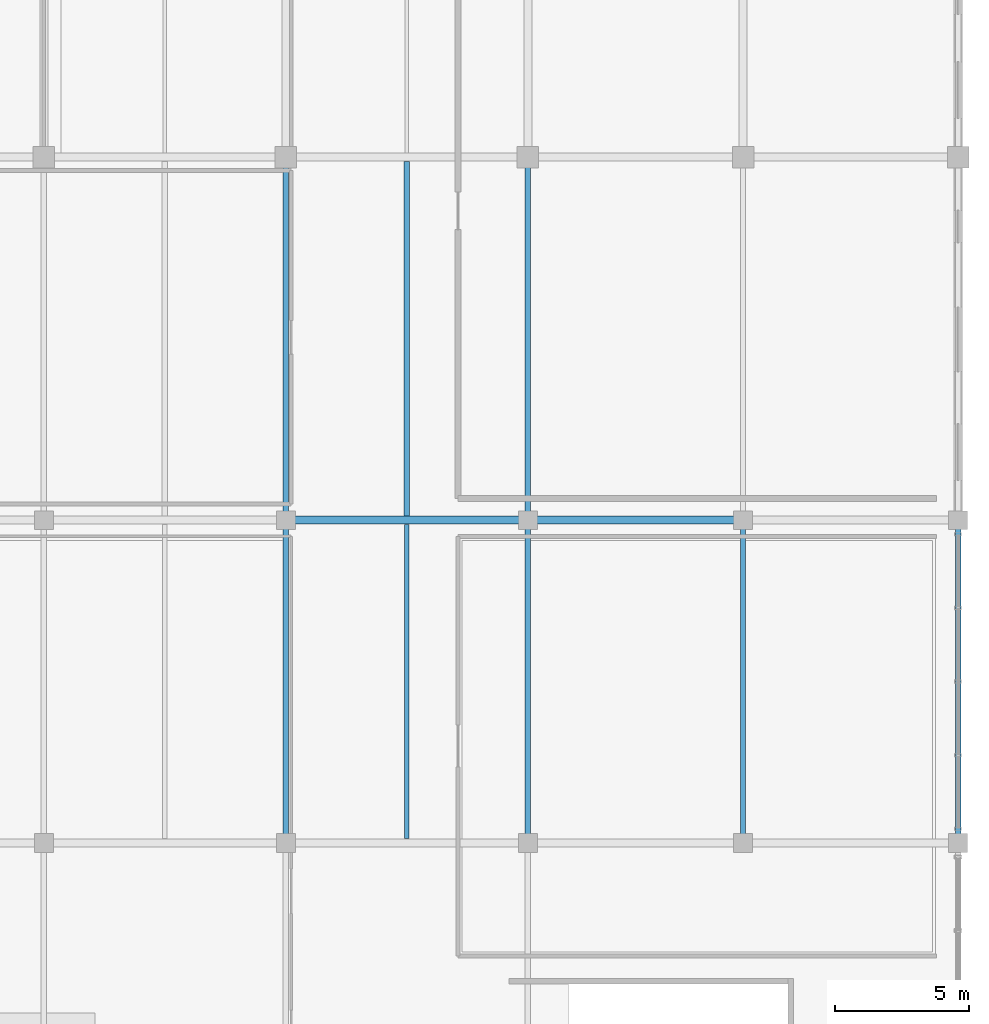
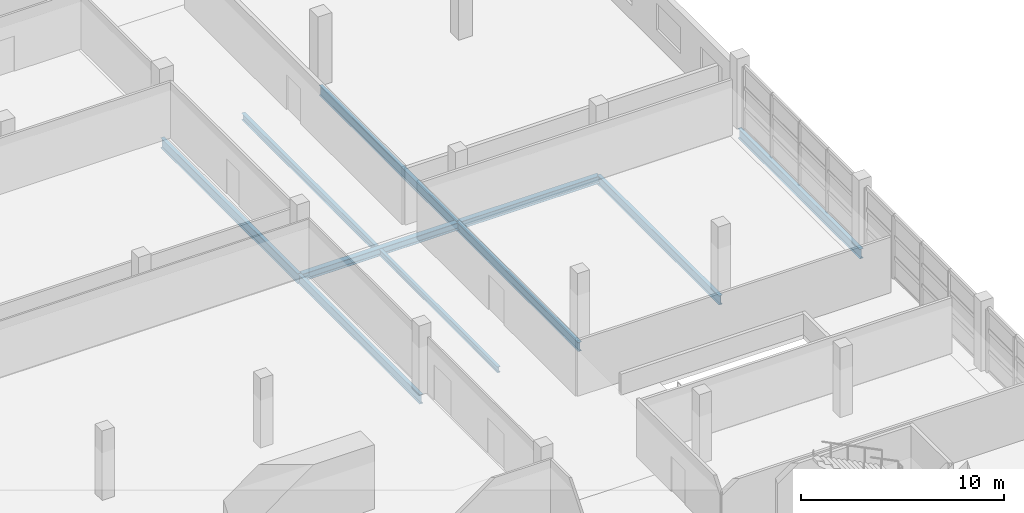
# One storey, part 76 of 136: 10 beams.
"""IFC4 building model written with IfcOpenShell, lengths in metres."""

import ifcopenshell
import ifcopenshell.guid

model = None  # the IFC model being written
_history = None  # IfcOwnerHistory: only IFC2X3 demands one
_inside = {}  # id of a spatial element -> (the spatial element, [elements in it])
_under = {}  # id of a project, library or spatial element -> (it, [spatial elements below it])
_declared = {}  # id of a project -> (the project, [libraries it declares])
_typed = {}  # id of a type object -> (the type object, [elements of that type])
_made_of = {}  # id of a material, layer set ... -> (it, [elements and type objects made of it])


def new_model(schema):
    """Start an empty IFC model of exactly this schema.

    Asked for "IFC4X3", IfcOpenShell would pick the latest addendum, in which some entities
    have other attributes; the version numbers below select the first issue.
    IFC2X3 requires an IfcOwnerHistory on every rooted entity: one is made here for all.
    """
    global model, _history
    if schema == "IFC4X3":
        model = ifcopenshell.file(schema_version=(4, 3, 0, 0))
    else:
        model = ifcopenshell.file(schema=schema)
    _inside.clear()
    _under.clear()
    _declared.clear()
    _typed.clear()
    _made_of.clear()
    _history = None
    if model.schema == "IFC2X3":
        org = make("IfcOrganization", Name="unknown")
        user = make(
            "IfcPersonAndOrganization",
            ThePerson=make("IfcPerson", FamilyName="unknown"),
            TheOrganization=org,
        )
        app = make(
            "IfcApplication",
            ApplicationDeveloper=org,
            Version="unknown",
            ApplicationFullName="unknown",
            ApplicationIdentifier="unknown",
        )
        _history = make(
            "IfcOwnerHistory",
            OwningUser=user,
            OwningApplication=app,
            ChangeAction="ADDED",
            CreationDate=0,
        )
    return model


def make(cls, **values):
    """One entity of the class cls with the attributes given. An attribute that is None is left unset."""
    return model.create_entity(
        cls, **{name: value for name, value in values.items() if value is not None}
    )


def rooted(cls, **values):
    """An entity with a GlobalId (a new one), such as an element, a storey or a relation."""
    return make(cls, GlobalId=ifcopenshell.guid.new(), OwnerHistory=_history, **values)


def si_unit(unit_type, name, prefix=None):
    """IfcSIUnit, for example si_unit("LENGTHUNIT", "METRE", prefix="MILLI")."""
    return make("IfcSIUnit", UnitType=unit_type, Prefix=prefix, Name=name)


def assignment(units):
    """IfcUnitAssignment: the units of a project."""
    return None if units is None else make("IfcUnitAssignment", Units=units)


def point(xyz):
    """IfcCartesianPoint."""
    return None if xyz is None else make("IfcCartesianPoint", Coordinates=xyz)


def direction(xyz):
    """IfcDirection."""
    return None if xyz is None else make("IfcDirection", DirectionRatios=xyz)


def frame(location, z_axis=None, x_axis=None):
    """IfcAxis2Placement3D, a coordinate frame: its origin and axes. An axis left out is left unset."""
    return make(
        "IfcAxis2Placement3D",
        Location=point(location),
        Axis=direction(z_axis),
        RefDirection=direction(x_axis),
    )


def frame_2d(location, x_axis=None):
    """IfcAxis2Placement2D, a coordinate frame in the plane: its origin and x axis."""
    return make(
        "IfcAxis2Placement2D", Location=point(location), RefDirection=direction(x_axis)
    )


def origin():
    """The frame at (0, 0, 0) with its axes left unset."""
    return frame((0.0, 0.0, 0.0))


def origin_2d():
    """The frame at (0, 0) in the plane with its x axis left unset."""
    return frame_2d((0.0, 0.0))


def place(relative_to, where):
    """IfcLocalPlacement: puts the frame where relative to a parent placement (None: the world)."""
    return make(
        "IfcLocalPlacement", PlacementRelTo=relative_to, RelativePlacement=where
    )


def context(
    kind, dimensions, precision=None, world=None, true_north=None, identifier=None
):
    """IfcGeometricRepresentationContext, for example the 3D "Model" context."""
    return make(
        "IfcGeometricRepresentationContext",
        ContextIdentifier=identifier,
        ContextType=kind,
        CoordinateSpaceDimension=dimensions,
        Precision=precision,
        WorldCoordinateSystem=world,
        TrueNorth=true_north,
    )


def subcontext(parent, identifier, kind, view, scale=None):
    """IfcGeometricRepresentationSubContext, for example "Body" below "Model"."""
    return make(
        "IfcGeometricRepresentationSubContext",
        ContextIdentifier=identifier,
        ContextType=kind,
        ParentContext=parent,
        TargetScale=scale,
        TargetView=view,
    )


def project(units=None, contexts=None):
    """IfcProject with its units and contexts."""
    return rooted(
        "IfcProject",
        Name="project",
        RepresentationContexts=contexts,
        UnitsInContext=assignment(units),
    )


def spatial(cls, under=None, at=None, **own):
    """A site, building, storey or space (cls), placed at a placement, below another one or the project."""
    s = rooted(cls, ObjectPlacement=at, **own)
    if under is not None:
        _under.setdefault(under.id(), (under, []))[1].append(s)
    return s


def profile(cls, at=None, kind="AREA", **sizes):
    """A parametric profile (cls). Its sizes go by their IFC names, for example OverallWidth=200.0."""
    return make(cls, ProfileType=kind, Position=at, **sizes)


def i_section(**sizes):
    """IfcIShapeProfileDef."""
    return profile("IfcIShapeProfileDef", **sizes)


def extrude(swept, where, along, depth):
    """IfcExtrudedAreaSolid: the profile swept, set in the frame where, extruded along a direction by depth."""
    return make(
        "IfcExtrudedAreaSolid",
        SweptArea=swept,
        Position=where,
        ExtrudedDirection=direction(along),
        Depth=depth,
    )


def shape(context_of_items, identifier, shape_type, items):
    """IfcShapeRepresentation: the items that make up one representation, for example the "Body"."""
    return make(
        "IfcShapeRepresentation",
        ContextOfItems=context_of_items,
        RepresentationIdentifier=identifier,
        RepresentationType=shape_type,
        Items=items,
    )


def material(Name=None, Category=None):
    """IfcMaterial."""
    return make("IfcMaterial", Name=Name, Category=Category)


def material_profile(
    of_material, cross_section, Name=None, Category=None, Priority=None
):
    """IfcMaterialProfile: a cross section and its material."""
    return make(
        "IfcMaterialProfile",
        Name=Name,
        Material=of_material,
        Profile=cross_section,
        Priority=Priority,
        Category=Category,
    )


def profile_set(profiles, Name=None, composite=None):
    """IfcMaterialProfileSet."""
    return make(
        "IfcMaterialProfileSet",
        Name=Name,
        MaterialProfiles=profiles,
        CompositeProfile=composite,
    )


def made_of(thing, what):
    """Note that an element or type object is made of a material, layer set ...; save() writes the relation."""
    if what is not None:
        _made_of.setdefault(what.id(), (what, []))[1].append(thing)
    return thing


def type_object(cls, material=None, **own):
    """A type object (cls), such as IfcWallType, which elements share."""
    return made_of(rooted(cls, **own), material)


def element(
    cls,
    number,
    at=None,
    inside=None,
    cuts=None,
    type_object=None,
    material=None,
    context=None,
    identifier="Body",
    shape_type=None,
    held_by="IfcProductDefinitionShape",
    body=None,
    shapes=None,
    **own,
):
    """One element of the class cls, such as IfcWall. Its Tag is "e" and its number.

    at: its placement. inside: the storey or other place that contains it. cuts: it is an
    opening in that element (IfcRelVoidsElement). A single representation is given by context,
    identifier, shape_type and body (its items); several are given by shapes. held_by: the class
    of the entity that holds the representations. save() writes the other relations.
    """
    e = rooted(cls, Tag="e%d" % number, ObjectPlacement=at, **own)
    if body is not None:
        shapes = [shape(context, identifier, shape_type, body)]
    if shapes is not None:
        e.Representation = make(held_by, Representations=shapes)
    if inside is not None:
        _inside.setdefault(inside.id(), (inside, []))[1].append(e)
    if cuts is not None:
        rooted(
            "IfcRelVoidsElement", RelatingBuildingElement=cuts, RelatedOpeningElement=e
        )
    if type_object is not None:
        _typed.setdefault(type_object.id(), (type_object, []))[1].append(e)
    return made_of(e, material)


def aggregate(whole, parts):
    """IfcRelAggregates: a whole, such as a stair, and the parts it consists of."""
    return rooted("IfcRelAggregates", RelatingObject=whole, RelatedObjects=parts)


def save(model, path):
    """Write the relations noted so far, then the file.

    IfcRelAggregates (storeys below a building ...), IfcRelContainedInSpatialStructure (elements
    in a storey), IfcRelDefinesByType, IfcRelAssociatesMaterial and IfcRelDeclares: one each for
    every whole, place, type object, material and project.
    """
    for whole, parts in _under.values():
        aggregate(whole, parts)
    for where, things in _inside.values():
        rooted(
            "IfcRelContainedInSpatialStructure",
            RelatedElements=things,
            RelatingStructure=where,
        )
    for kind, things in _typed.values():
        rooted("IfcRelDefinesByType", RelatedObjects=things, RelatingType=kind)
    for what, things in _made_of.values():
        rooted("IfcRelAssociatesMaterial", RelatedObjects=things, RelatingMaterial=what)
    for by, libraries in _declared.values():
        rooted("IfcRelDeclares", RelatingContext=by, RelatedDefinitions=libraries)
    model.write(path)


model = new_model("IFC4")

# Units and contexts
model_context = context("Model", 3, precision=1e-05, world=origin(), true_north=direction((0.0, 1.0)))
body_context = subcontext(model_context, "Body", "Model", "MODEL_VIEW")
ifc_project = project(units=[si_unit("LENGTHUNIT", "METRE"), si_unit("AREAUNIT", "SQUARE_METRE"), si_unit("VOLUMEUNIT", "CUBIC_METRE"), si_unit("PLANEANGLEUNIT", "RADIAN"), si_unit("MASSUNIT", "GRAM", prefix="KILO")], contexts=[model_context])

# Site, building, storey
site_placement = place(None, origin())
site = spatial("IfcSite", under=ifc_project, at=site_placement, CompositionType="ELEMENT")
building_placement = place(site_placement, origin())
building = spatial("IfcBuilding", under=site, at=building_placement, Name="Chuanluo Vaults Station", CompositionType="ELEMENT")
storey_placement = place(building_placement, frame((0.0, 0.0, 6.60009765625)))
storey = spatial("IfcBuildingStorey", under=building, at=storey_placement, Name="L01", CompositionType="ELEMENT", Elevation=6.60009765625)

# Beams
ifc_material_1 = material(Name="Steel Q355C", Category="steel")
ifc_material_profile_1 = material_profile(ifc_material_1, i_section(OverallWidth=0.300048828125, OverallDepth=0.43994140625, WebThickness=0.010986328125, FlangeThickness=0.01806640625, FilletRadius=0.02001953125, at=origin_2d()))
ifc_profile_set_1 = profile_set([ifc_material_profile_1], Name="Steel Q355C")
beam_type_1 = type_object("IfcBeamType", Name="BM-GRD-450", PredefinedType="USERDEFINED", material=ifc_profile_set_1)
beam_1_placement = place(storey_placement, frame((163.0, 54.0, -0.460205078125), z_axis=(1.0, 0.0, 0.0), x_axis=(0.0, 1.0, 0.0)))
element("IfcBeam", 1, at=beam_1_placement, inside=storey, type_object=beam_type_1, Name="Floor girder BM:GX:L01:0331", ObjectType="GIRDER", PredefinedType="USERDEFINED", context=body_context, shape_type="SweptSolid", body=[
    extrude(i_section(OverallWidth=0.300048828125, OverallDepth=0.43994140625, WebThickness=0.010986328125, FlangeThickness=0.01806640625, FilletRadius=0.02001953125, at=origin_2d()), origin(), (0.0, 0.0, 1.0), 9.0),
])
beam_2_placement = place(storey_placement, frame((172.0, 54.0, -0.460205078125), z_axis=(1.0, 0.0, 0.0), x_axis=(0.0, 1.0, 0.0)))
element("IfcBeam", 2, at=beam_2_placement, inside=storey, type_object=beam_type_1, Name="Floor girder BM:GX:L01:0332", ObjectType="GIRDER", PredefinedType="USERDEFINED", context=body_context, shape_type="SweptSolid", body=[
    extrude(i_section(OverallWidth=0.300048828125, OverallDepth=0.43994140625, WebThickness=0.010986328125, FlangeThickness=0.01806640625, FilletRadius=0.02001953125, at=origin_2d()), origin(), (0.0, 0.0, 1.0), 8.0),
])
ifc_material_2 = material(Name="Steel Q355C", Category="steel")
ifc_material_profile_2 = material_profile(ifc_material_2, i_section(OverallWidth=0.199951171875, OverallDepth=0.550048828125, WebThickness=0.010009765625, FlangeThickness=0.01611328125, FilletRadius=0.01806640625, at=origin_2d()))
ifc_profile_set_2 = profile_set([ifc_material_profile_2], Name="Steel Q355C")
beam_type_2 = type_object("IfcBeamType", Name="BM-GRD-550", PredefinedType="USERDEFINED", material=ifc_profile_set_2)
for number, where, z_axis, x_axis, name in (
    (3, (163.0, 42.0, -0.51513671875), (0.0, 1.0, 0.0), (-1.0, 0.0, 0.0), "Floor girder BM:GY:L01:0492"),
    (4, (172.0, 42.0, -0.51513671875), (0.0, 1.0, 0.0), (-1.0, 0.0, 0.0), "Floor girder BM:GY:L01:0504"),
    (5, (180.0, 42.0, -0.51513671875), (0.0, 1.0, 0.0), (-1.0, 0.0, 0.0), "Floor girder BM:GY:L01:0515"),
):
    element("IfcBeam", number, at=place(storey_placement, frame(where, z_axis=z_axis, x_axis=x_axis)), inside=storey, type_object=beam_type_2, Name=name, ObjectType="GIRDER", PredefinedType="USERDEFINED", context=body_context, shape_type="SweptSolid", body=[
        extrude(i_section(OverallWidth=0.199951171875, OverallDepth=0.550048828125, WebThickness=0.010009765625, FlangeThickness=0.01611328125, FilletRadius=0.01806640625, at=origin_2d()), origin(), (0.0, 0.0, 1.0), 12.0),
    ])
ifc_material_3 = material(Name="Steel Q355C", Category="steel")
ifc_material_profile_3 = material_profile(ifc_material_3, i_section(OverallWidth=0.199951171875, OverallDepth=0.60009765625, WebThickness=0.010986328125, FlangeThickness=0.01708984375, FilletRadius=0.01806640625, at=origin_2d()))
ifc_profile_set_3 = profile_set([ifc_material_profile_3], Name="Steel Q355C")
beam_type_3 = type_object("IfcBeamType", Name="BM-GRD-600", PredefinedType="USERDEFINED", material=ifc_profile_set_3)
for number, where, z_axis, x_axis, name in (
    (6, (163.0, 54.0, -0.5400390625), (0.0, 1.0, 0.0), (-1.0, 0.0, 0.0), "Floor girder BM:GY:L01:0493"),
    (7, (172.0, 54.0, -0.5400390625), (0.0, 1.0, 0.0), (-1.0, 0.0, 0.0), "Floor girder BM:GY:L01:0505"),
):
    element("IfcBeam", number, at=place(storey_placement, frame(where, z_axis=z_axis, x_axis=x_axis)), inside=storey, type_object=beam_type_3, Name=name, ObjectType="GIRDER", PredefinedType="USERDEFINED", context=body_context, shape_type="SweptSolid", body=[
        extrude(i_section(OverallWidth=0.199951171875, OverallDepth=0.60009765625, WebThickness=0.010986328125, FlangeThickness=0.01708984375, FilletRadius=0.01806640625, at=origin_2d()), origin(), (0.0, 0.0, 1.0), 13.5),
    ])
ifc_material_4 = material(Name="Steel Q355C", Category="steel")
ifc_material_profile_4 = material_profile(ifc_material_4, i_section(OverallWidth=0.175048828125, OverallDepth=0.35009765625, WebThickness=0.007080078125, FlangeThickness=0.010986328125, FilletRadius=0.013916015625, at=origin_2d()))
ifc_profile_set_4 = profile_set([ifc_material_profile_4], Name="Steel Q355C")
beam_type_4 = type_object("IfcBeamType", Name="BM-SEC-350", PredefinedType="JOIST", material=ifc_profile_set_4)
beam_3_placement = place(storey_placement, frame((167.5, 42.155029296875, -0.4150390625), z_axis=(0.0, 1.0, 0.0), x_axis=(-1.0, 0.0, 0.0)))
element("IfcBeam", 8, at=beam_3_placement, inside=storey, type_object=beam_type_4, Name="Composite secondary joist 0179", PredefinedType="JOIST", context=body_context, shape_type="SweptSolid", body=[
    extrude(i_section(OverallWidth=0.175048828125, OverallDepth=0.35009765625, WebThickness=0.007080078125, FlangeThickness=0.010986328125, FilletRadius=0.013916015625, at=origin_2d()), origin(), (0.0, 0.0, 1.0), 11.68994140625),
])
ifc_material_5 = material(Name="Steel Q355C", Category="steel")
ifc_material_profile_5 = material_profile(ifc_material_5, i_section(OverallWidth=0.199951171875, OverallDepth=0.39990234375, WebThickness=0.008056640625, FlangeThickness=0.012939453125, FilletRadius=0.01611328125, at=origin_2d()))
ifc_profile_set_5 = profile_set([ifc_material_profile_5], Name="Steel Q355C")
beam_type_5 = type_object("IfcBeamType", Name="BM-SEC-400", PredefinedType="BEAM", material=ifc_profile_set_5)
beam_4_placement = place(storey_placement, frame((167.5, 54.155029296875, -0.440185546875), z_axis=(0.0, 1.0, 0.0), x_axis=(-1.0, 0.0, 0.0)))
element("IfcBeam", 9, at=beam_4_placement, inside=storey, type_object=beam_type_5, Name="Composite secondary joist 0180", PredefinedType="BEAM", context=body_context, shape_type="SweptSolid", body=[
    extrude(i_section(OverallWidth=0.199951171875, OverallDepth=0.39990234375, WebThickness=0.008056640625, FlangeThickness=0.012939453125, FilletRadius=0.01611328125, at=origin_2d()), origin(), (0.0, 0.0, 1.0), 13.18994140625),
])
ifc_material_6 = material(Name="Steel Q355C", Category="steel")
ifc_material_profile_6 = material_profile(ifc_material_6, i_section(OverallWidth=0.2099609375, OverallDepth=0.580078125, WebThickness=0.010986328125, FlangeThickness=0.01708984375, FilletRadius=0.01806640625, at=origin_2d()))
ifc_profile_set_6 = profile_set([ifc_material_profile_6], Name="Steel Q355C")
beam_type_6 = type_object("IfcBeamType", Name="BM-SPN-600", PredefinedType="SPANDREL", material=ifc_profile_set_6)
beam_5_placement = place(storey_placement, frame((188.0, 42.0, -0.530029296875), z_axis=(0.0, 1.0, 0.0), x_axis=(-1.0, 0.0, 0.0)))
element("IfcBeam", 10, at=beam_5_placement, inside=storey, type_object=beam_type_6, Name="Floor girder BM:GY:L01:0527", PredefinedType="SPANDREL", context=body_context, shape_type="SweptSolid", body=[
    extrude(i_section(OverallWidth=0.2099609375, OverallDepth=0.580078125, WebThickness=0.010986328125, FlangeThickness=0.01708984375, FilletRadius=0.01806640625, at=origin_2d()), origin(), (0.0, 0.0, 1.0), 12.0),
])

save(model, "model.ifc")
